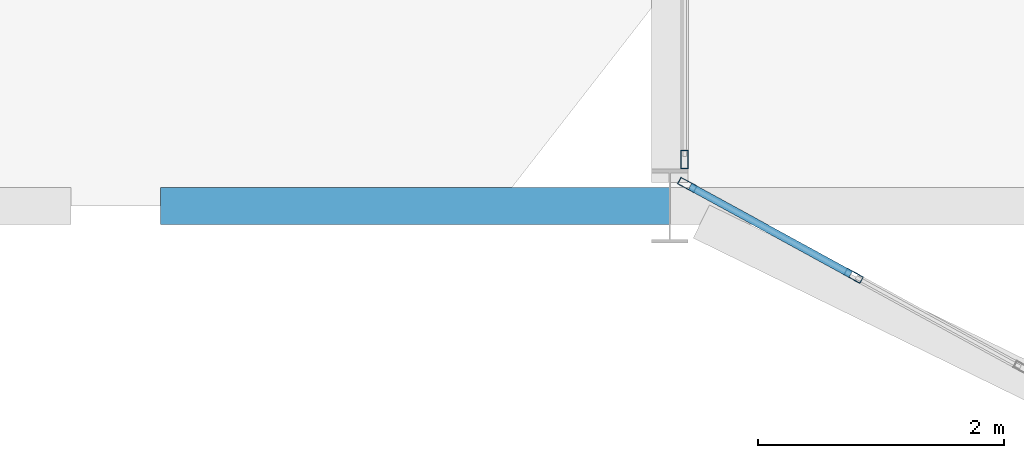
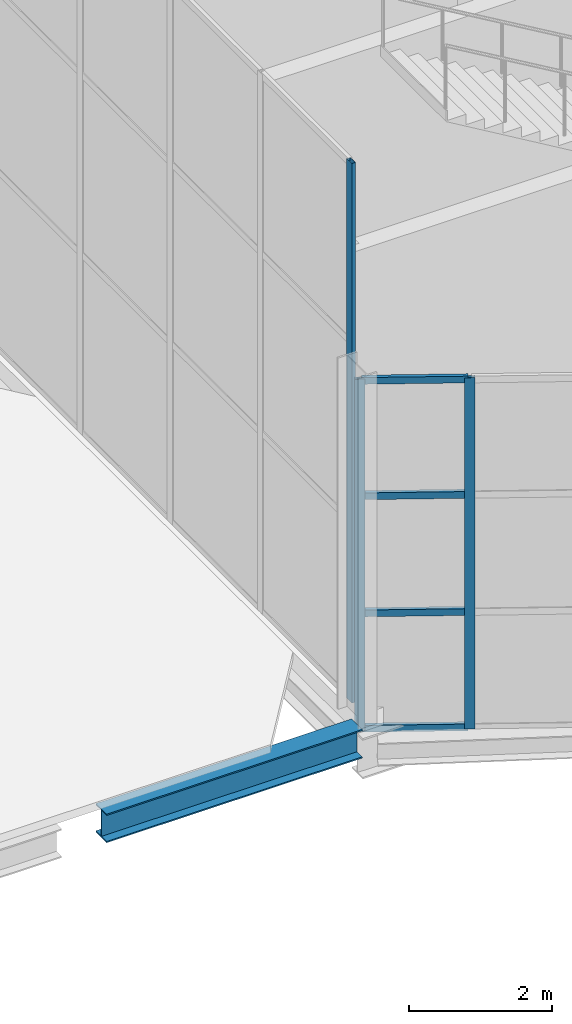
# One storey, part 23 of 191: 7 members, 1 beam, 2 elements without a shape of their own.
"""IFC4 building model written with IfcOpenShell, lengths in metres."""

from ifc_helpers import new_model, si_unit, direction, frame, origin, origin_2d, place, context, subcontext, project, spatial, hollow_rectangle, i_section, extrude, material, layer, layer_set, material_profile, profile_set, type_object, element, aggregate, save


model = new_model("IFC4")

# Units and contexts
model_context = context("Model", 3, precision=1e-05, world=origin(), true_north=direction((0.0, 1.0)))
body_context = subcontext(model_context, "Body", "Model", "MODEL_VIEW")
ifc_project = project(units=[si_unit("LENGTHUNIT", "METRE"), si_unit("AREAUNIT", "SQUARE_METRE"), si_unit("VOLUMEUNIT", "CUBIC_METRE"), si_unit("PLANEANGLEUNIT", "RADIAN"), si_unit("MASSUNIT", "GRAM", prefix="KILO")], contexts=[model_context])

# Site, building, storey
site_placement = place(None, origin())
site = spatial("IfcSite", under=ifc_project, at=site_placement, CompositionType="ELEMENT")
building_placement = place(site_placement, origin())
building = spatial("IfcBuilding", under=site, at=building_placement, Name="Tamarisk Ironworks Central Station", CompositionType="ELEMENT")
storey_placement = place(building_placement, frame((0.0, 0.0, 6.60009765625)))
storey = spatial("IfcBuildingStorey", under=building, at=storey_placement, Name="L01", CompositionType="ELEMENT", Elevation=6.60009765625)

# Beam
ifc_material_1 = material(Name="Structural steel S355J2", Category="steel")
ifc_material_profile_1 = material_profile(ifc_material_1, i_section(OverallWidth=0.300048828125, OverallDepth=0.489990234375, WebThickness=0.011962890625, FlangeThickness=0.02294921875, at=origin_2d()), Name="HEA 500")
ifc_profile_set_1 = profile_set([ifc_material_profile_1], Name="Structural steel S355J2")
beam_type = type_object("IfcBeamType", Name="BM-G05", PredefinedType="BEAM", material=ifc_profile_set_1)
beam_placement = place(storey_placement, frame((49.863037109375, 10.800048828125, -0.385009765625), z_axis=(1.0, 0.0, 0.0), x_axis=(0.0, 1.0, 0.0)))
element("IfcBeam", 1, at=beam_placement, inside=storey, type_object=beam_type, Name="L01 primary girder X-0016", PredefinedType="BEAM", context=body_context, shape_type="SweptSolid", body=[
    extrude(i_section(OverallWidth=0.300048828125, OverallDepth=0.489990234375, WebThickness=0.011962890625, FlangeThickness=0.02294921875, at=origin_2d()), origin(), (0.0, 0.0, 1.0), 4.133056640625),
])

# Curtain wall, members
ifc_material_2 = material(Name="Anodized aluminium alloy 6063-T6", Category="aluminium")
ifc_layer_1 = layer(ifc_material_2, 0.179931640625)
ifc_layer_set_1 = layer_set([ifc_layer_1], Name="Anodized aluminium alloy 6063-T6")
curtain_wall_type_1 = type_object("IfcCurtainWallType", Name="CW-02", PredefinedType="USERDEFINED", material=ifc_layer_set_1)
curtain_wall_1_placement = place(storey_placement, origin())
curtain_wall_1 = element("IfcCurtainWall", 2, at=curtain_wall_1_placement, inside=storey, type_object=curtain_wall_type_1, Name="SN rounded entrance hall L01 curtain wall bay 01", ObjectType="GLAZED CURTAIN WALL", PredefinedType="USERDEFINED")
ifc_material_profile_2 = material_profile(ifc_material_2, hollow_rectangle(XDim=0.06005859375, YDim=0.14990234375, WallThickness=0.00341796875, at=origin_2d()), Name="ALUM 150x60")
ifc_profile_set_2 = profile_set([ifc_material_profile_2], Name="Anodized aluminium alloy 6063-T6")
member_type_1 = type_object("IfcMemberType", Name="CWM-03", PredefinedType="MULLION", material=ifc_profile_set_2)
member_1_placement = place(storey_placement, frame((54.14208984375, 10.97265625, -0.385009765625), z_axis=(0.0, 0.0, 1.0), x_axis=(0.47980544644, 0.877374910495, 0.0)))
member_1 = element("IfcMember", 3, at=member_1_placement, type_object=member_type_1, Name="CW02 mullion 1", PredefinedType="MULLION", context=body_context, shape_type="SweptSolid", body=[
    extrude(hollow_rectangle(XDim=0.06005859375, YDim=0.14990234375, WallThickness=0.00341796875, at=origin_2d()), origin(), (0.0, 0.0, 1.0), 6.0048828125),
])
member_2_placement = place(storey_placement, frame((55.4931640625, 10.23388671875, -0.385009765625), z_axis=(0.0, 0.0, 1.0), x_axis=(0.47980544644, 0.877374910495, 0.0)))
member_2 = element("IfcMember", 4, at=member_2_placement, type_object=member_type_1, Name="CW02 mullion 2", PredefinedType="MULLION", context=body_context, shape_type="SweptSolid", body=[
    extrude(hollow_rectangle(XDim=0.06005859375, YDim=0.14990234375, WallThickness=0.00341796875, at=origin_2d()), origin(), (0.0, 0.0, 1.0), 6.0048828125),
])

# Curtain wall, member
ifc_layer_2 = layer(ifc_material_2, 0.179931640625)
ifc_layer_set_2 = layer_set([ifc_layer_2], Name="Anodized aluminium alloy 6063-T6")
curtain_wall_type_2 = type_object("IfcCurtainWallType", Name="CW-05", PredefinedType="USERDEFINED", material=ifc_layer_set_2)
curtain_wall_2_placement = place(storey_placement, origin())
curtain_wall_2 = element("IfcCurtainWall", 5, at=curtain_wall_2_placement, inside=storey, type_object=curtain_wall_type_2, Name="Concourse W track-overlook curtain wall 01", ObjectType="GLAZED CURTAIN WALL", PredefinedType="USERDEFINED")
member_3_placement = place(storey_placement, frame((54.1201171875, 11.179931640625, 0.0), z_axis=(0.0, 0.0, 1.0), x_axis=(-1.0, 0.0, 0.0)))
member_3 = element("IfcMember", 6, at=member_3_placement, type_object=member_type_1, Name="CW05 mullion 1", PredefinedType="MULLION", context=body_context, shape_type="SweptSolid", body=[
    extrude(hollow_rectangle(XDim=0.06005859375, YDim=0.14990234375, WallThickness=0.00341796875, at=origin_2d()), origin(), (0.0, 0.0, 1.0), 9.219970703125),
])
aggregate(curtain_wall_2, [member_3])

# Member
ifc_material_profile_3 = material_profile(ifc_material_2, hollow_rectangle(XDim=0.06005859375, YDim=0.114990234375, WallThickness=0.00341796875, at=origin_2d()), Name="ALUM 115x60")
ifc_profile_set_3 = profile_set([ifc_material_profile_3], Name="Anodized aluminium alloy 6063-T6")
member_type_2 = type_object("IfcMemberType", Name="CWT-03", PredefinedType="USERDEFINED", material=ifc_profile_set_3)
member_4_placement = place(storey_placement, frame((54.164794921875, 10.960205078125, -0.35498046875), z_axis=(0.877380853309, -0.479794579217, 0.0), x_axis=(0.479794579217, 0.877380853309, 0.0)))
member_4 = element("IfcMember", 7, at=member_4_placement, type_object=member_type_2, Name="CW02 transom 1.1", ObjectType="TRANSOM", PredefinedType="USERDEFINED", context=body_context, shape_type="SweptSolid", body=[
    extrude(hollow_rectangle(XDim=0.06005859375, YDim=0.114990234375, WallThickness=0.00341796875, at=origin_2d()), origin(), (0.0, 0.0, 1.0), 1.48779296875),
])

member_5_placement = place(storey_placement, frame((54.164794921875, 10.960205078125, 1.61669921875), z_axis=(0.877380853309, -0.479794579217, 0.0), x_axis=(0.479794579217, 0.877380853309, 0.0)))
member_5 = element("IfcMember", 8, at=member_5_placement, type_object=member_type_2, Name="CW02 transom 1.2", ObjectType="TRANSOM", PredefinedType="USERDEFINED", context=body_context, shape_type="SweptSolid", body=[
    extrude(hollow_rectangle(XDim=0.06005859375, YDim=0.114990234375, WallThickness=0.00341796875, at=origin_2d()), origin(), (0.0, 0.0, 1.0), 1.48779296875),
])

member_6_placement = place(storey_placement, frame((54.164794921875, 10.960205078125, 3.6181640625), z_axis=(0.877380853309, -0.479794579217, 0.0), x_axis=(0.479794579217, 0.877380853309, 0.0)))
member_6 = element("IfcMember", 9, at=member_6_placement, type_object=member_type_2, Name="CW02 transom 1.3", ObjectType="TRANSOM", PredefinedType="USERDEFINED", context=body_context, shape_type="SweptSolid", body=[
    extrude(hollow_rectangle(XDim=0.06005859375, YDim=0.114990234375, WallThickness=0.00341796875, at=origin_2d()), origin(), (0.0, 0.0, 1.0), 1.48779296875),
])

member_7_placement = place(storey_placement, frame((54.164794921875, 10.960205078125, 5.58984375), z_axis=(0.877380853309, -0.479794579217, 0.0), x_axis=(0.479794579217, 0.877380853309, 0.0)))
member_7 = element("IfcMember", 10, at=member_7_placement, type_object=member_type_2, Name="CW02 transom 1.4", ObjectType="TRANSOM", PredefinedType="USERDEFINED", context=body_context, shape_type="SweptSolid", body=[
    extrude(hollow_rectangle(XDim=0.06005859375, YDim=0.114990234375, WallThickness=0.00341796875, at=origin_2d()), origin(), (0.0, 0.0, 1.0), 1.48779296875),
])

aggregate(curtain_wall_1, [member_1, member_2, member_4, member_5, member_6, member_7])

save(model, "model.ifc")
